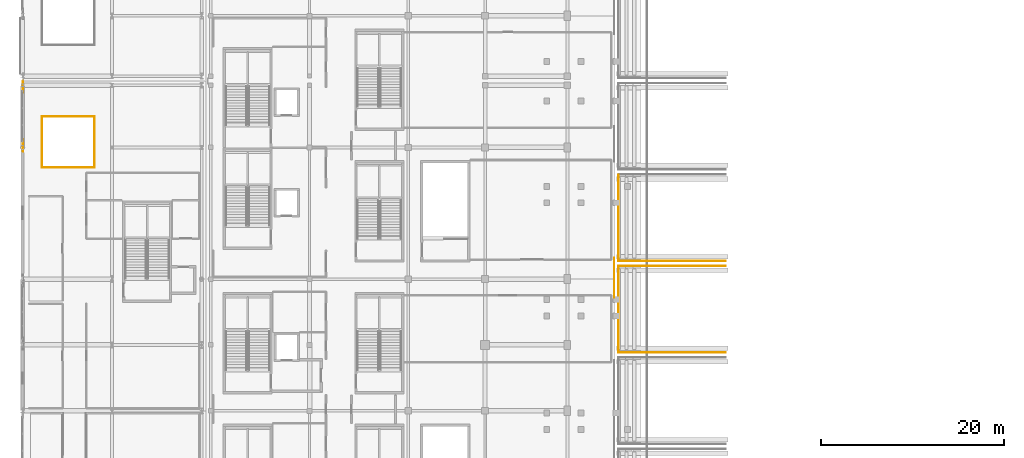
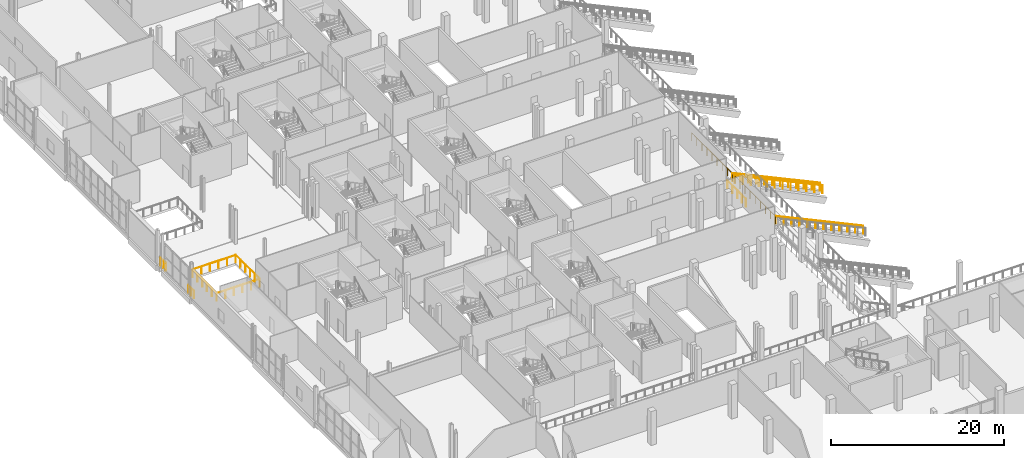
# One storey, part 102 of 129: 13 railings.
"""IFC4 building model written with IfcOpenShell, lengths in metres."""

from ifc_helpers import new_model, si_unit, direction, frame, origin, origin_2d, place, context, subcontext, project, spatial, circle, extrude, material, type_object, element, save


model = new_model("IFC4")

# Units and contexts
model_context = context("Model", 3, precision=1e-05, world=origin(), true_north=direction((0.0, 1.0)))
body_context = subcontext(model_context, "Body", "Model", "MODEL_VIEW")
ifc_project = project(units=[si_unit("LENGTHUNIT", "METRE"), si_unit("AREAUNIT", "SQUARE_METRE"), si_unit("VOLUMEUNIT", "CUBIC_METRE"), si_unit("PLANEANGLEUNIT", "RADIAN"), si_unit("MASSUNIT", "GRAM", prefix="KILO")], contexts=[model_context])

# Site, building, storey
site_placement = place(None, origin())
site = spatial("IfcSite", under=ifc_project, at=site_placement, CompositionType="ELEMENT")
building_placement = place(site_placement, origin())
building = spatial("IfcBuilding", under=site, at=building_placement, Name="Koshinbarg Plaza Stadium", CompositionType="ELEMENT")
storey_placement = place(building_placement, frame((0.0, 0.0, 5.39990234375)))
storey = spatial("IfcBuildingStorey", under=building, at=storey_placement, Name="L01", CompositionType="ELEMENT", Elevation=5.39990234375)

# Railings
ifc_material_1 = material(Name="Toughened laminated glass and stainless steel sightline balustrade", Category="steel")
railing_type_1 = type_object("IfcRailingType", Name="RL-BOWL-1100", PredefinedType="BALUSTRADE", material=ifc_material_1)
railing_1_placement = place(storey_placement, frame((6.1201171875, 66.52001953125, 0.0)))
element("IfcRailing", 1, at=railing_1_placement, inside=storey, type_object=railing_type_1, Name="L01 atrium light-well balustrade 0051", PredefinedType="BALUSTRADE", context=body_context, shape_type="SweptSolid", body=[
    extrude(circle(Radius=0.02392578125, at=origin_2d()), frame((0.0, 0.0, 1.076171875), z_axis=(1.0, 0.0, 0.0), x_axis=(0.0, 1.0, 0.0)), (0.0, 0.0, 1.0), 5.759765625),
    extrude(circle(Radius=0.02099609375, at=origin_2d()), origin(), (0.0, 0.0, 1.0), 1.052001953125),
    extrude(circle(Radius=0.02099609375, at=origin_2d()), frame((1.15185546875, 0.0, 0.0)), (0.0, 0.0, 1.0), 1.052001953125),
    extrude(circle(Radius=0.02099609375, at=origin_2d()), frame((2.303955078125, 0.0, 0.0)), (0.0, 0.0, 1.0), 1.052001953125),
    extrude(circle(Radius=0.02099609375, at=origin_2d()), frame((3.455810546875, 0.0, 0.0)), (0.0, 0.0, 1.0), 1.052001953125),
    extrude(circle(Radius=0.02099609375, at=origin_2d()), frame((4.60791015625, 0.0, 0.0)), (0.0, 0.0, 1.0), 1.052001953125),
    extrude(circle(Radius=0.02099609375, at=origin_2d()), frame((5.759765625, 0.0, 0.0)), (0.0, 0.0, 1.0), 1.052001953125),
])
railing_2_placement = place(storey_placement, frame((11.8798828125, 66.52001953125, 0.0)))
element("IfcRailing", 2, at=railing_2_placement, inside=storey, type_object=railing_type_1, Name="L01 atrium light-well balustrade 0052", PredefinedType="BALUSTRADE", context=body_context, shape_type="SweptSolid", body=[
    extrude(circle(Radius=0.02392578125, at=origin_2d()), frame((0.0, 0.0, 1.076171875), z_axis=(0.0, 1.0, 0.0), x_axis=(-1.0, 0.0, 0.0)), (0.0, 0.0, 1.0), 5.56005859375),
    extrude(circle(Radius=0.02099609375, at=origin_2d()), origin(), (0.0, 0.0, 1.0), 1.052001953125),
    extrude(circle(Radius=0.02099609375, at=origin_2d()), frame((0.0, 1.112060546875, 0.0)), (0.0, 0.0, 1.0), 1.052001953125),
    extrude(circle(Radius=0.02099609375, at=origin_2d()), frame((0.0, 2.22412109375, 0.0)), (0.0, 0.0, 1.0), 1.052001953125),
    extrude(circle(Radius=0.02099609375, at=origin_2d()), frame((0.0, 3.3359375, 0.0)), (0.0, 0.0, 1.0), 1.052001953125),
    extrude(circle(Radius=0.02099609375, at=origin_2d()), frame((0.0, 4.447998046875, 0.0)), (0.0, 0.0, 1.0), 1.052001953125),
    extrude(circle(Radius=0.02099609375, at=origin_2d()), frame((0.0, 5.56005859375, 0.0)), (0.0, 0.0, 1.0), 1.052001953125),
])
railing_3_placement = place(storey_placement, frame((11.8798828125, 72.080078125, 0.0)))
element("IfcRailing", 3, at=railing_3_placement, inside=storey, type_object=railing_type_1, Name="L01 atrium light-well balustrade 0053", PredefinedType="BALUSTRADE", context=body_context, shape_type="SweptSolid", body=[
    extrude(circle(Radius=0.02392578125, at=origin_2d()), frame((0.0, 0.0, 1.076171875), z_axis=(-1.0, 0.0, 0.0), x_axis=(0.0, -1.0, 0.0)), (0.0, 0.0, 1.0), 5.759765625),
    extrude(circle(Radius=0.02099609375, at=origin_2d()), origin(), (0.0, 0.0, 1.0), 1.052001953125),
    extrude(circle(Radius=0.02099609375, at=origin_2d()), frame((-1.15185546875, 0.0, 0.0)), (0.0, 0.0, 1.0), 1.052001953125),
    extrude(circle(Radius=0.02099609375, at=origin_2d()), frame((-2.303955078125, 0.0, 0.0)), (0.0, 0.0, 1.0), 1.052001953125),
    extrude(circle(Radius=0.02099609375, at=origin_2d()), frame((-3.455810546875, 0.0, 0.0)), (0.0, 0.0, 1.0), 1.052001953125),
    extrude(circle(Radius=0.02099609375, at=origin_2d()), frame((-4.60791015625, 0.0, 0.0)), (0.0, 0.0, 1.0), 1.052001953125),
    extrude(circle(Radius=0.02099609375, at=origin_2d()), frame((-5.759765625, 0.0, 0.0)), (0.0, 0.0, 1.0), 1.052001953125),
])
railing_4_placement = place(storey_placement, frame((6.1201171875, 72.080078125, 0.0)))
element("IfcRailing", 4, at=railing_4_placement, inside=storey, type_object=railing_type_1, Name="L01 atrium light-well balustrade 0054", PredefinedType="BALUSTRADE", context=body_context, shape_type="SweptSolid", body=[
    extrude(circle(Radius=0.02392578125, at=origin_2d()), frame((0.0, 0.0, 1.076171875), z_axis=(0.0, -1.0, 0.0), x_axis=(1.0, 0.0, 0.0)), (0.0, 0.0, 1.0), 5.56005859375),
    extrude(circle(Radius=0.02099609375, at=origin_2d()), origin(), (0.0, 0.0, 1.0), 1.052001953125),
    extrude(circle(Radius=0.02099609375, at=origin_2d()), frame((0.0, -1.112060546875, 0.0)), (0.0, 0.0, 1.0), 1.052001953125),
    extrude(circle(Radius=0.02099609375, at=origin_2d()), frame((0.0, -2.22412109375, 0.0)), (0.0, 0.0, 1.0), 1.052001953125),
    extrude(circle(Radius=0.02099609375, at=origin_2d()), frame((0.0, -3.3359375, 0.0)), (0.0, 0.0, 1.0), 1.052001953125),
    extrude(circle(Radius=0.02099609375, at=origin_2d()), frame((0.0, -4.447998046875, 0.0)), (0.0, 0.0, 1.0), 1.052001953125),
    extrude(circle(Radius=0.02099609375, at=origin_2d()), frame((0.0, -5.56005859375, 0.0)), (0.0, 0.0, 1.0), 1.052001953125),
])
railing_5_placement = place(storey_placement, frame((68.719970703125, 54.300048828125, 0.0)))
element("IfcRailing", 5, at=railing_5_placement, inside=storey, type_object=railing_type_1, Name="L01 deck edge safety balustrade 0001", PredefinedType="BALUSTRADE", context=body_context, shape_type="SweptSolid", body=[
    extrude(circle(Radius=0.02392578125, at=origin_2d()), frame((0.0, 0.0, 1.076171875), z_axis=(0.0, -1.0, 0.0), x_axis=(1.0, 0.0, 0.0)), (0.0, 0.0, 1.0), 1.9912109375),
    extrude(circle(Radius=0.02099609375, at=origin_2d()), origin(), (0.0, 0.0, 1.0), 1.052001953125),
    extrude(circle(Radius=0.02099609375, at=origin_2d()), frame((0.0, -0.99560546875, 0.0)), (0.0, 0.0, 1.0), 1.052001953125),
    extrude(circle(Radius=0.02099609375, at=origin_2d()), frame((0.0, -1.9912109375, 0.0)), (0.0, 0.0, 1.0), 1.052001953125),
])
railing_6_placement = place(storey_placement, frame((68.719970703125, 56.60009765625, 0.0)))
element("IfcRailing", 6, at=railing_6_placement, inside=storey, type_object=railing_type_1, Name="L01 deck edge safety balustrade 0006", PredefinedType="BALUSTRADE", context=body_context, shape_type="SweptSolid", body=[
    extrude(circle(Radius=0.02392578125, at=origin_2d()), frame((0.0, 0.0, 1.076171875), z_axis=(0.0, -1.0, 0.0), x_axis=(1.0, 0.0, 0.0)), (0.0, 0.0, 1.0), 2.300048828125),
    extrude(circle(Radius=0.02099609375, at=origin_2d()), origin(), (0.0, 0.0, 1.0), 1.052001953125),
    extrude(circle(Radius=0.02099609375, at=origin_2d()), frame((0.0, -1.14990234375, 0.0)), (0.0, 0.0, 1.0), 1.052001953125),
    extrude(circle(Radius=0.02099609375, at=origin_2d()), frame((0.0, -2.300048828125, 0.0)), (0.0, 0.0, 1.0), 1.052001953125),
])
railing_7_placement = place(storey_placement, frame((4.080078125, 68.274658203125, 0.0)))
element("IfcRailing", 7, at=railing_7_placement, inside=storey, type_object=railing_type_1, Name="L01 deck edge safety balustrade 0111", PredefinedType="BALUSTRADE", context=body_context, shape_type="SweptSolid", body=[
    extrude(circle(Radius=0.02392578125, at=origin_2d()), frame((0.0, 0.0, 1.076171875), z_axis=(0.0, 1.0, 0.0), x_axis=(-1.0, 0.0, 0.0)), (0.0, 0.0, 1.0), 1.297607421875),
    extrude(circle(Radius=0.02099609375, at=origin_2d()), origin(), (0.0, 0.0, 1.0), 1.052001953125),
    extrude(circle(Radius=0.02099609375, at=origin_2d()), frame((0.0, 0.64892578125, 0.0)), (0.0, 0.0, 1.0), 1.052001953125),
    extrude(circle(Radius=0.02099609375, at=origin_2d()), frame((0.0, 1.297607421875, 0.0)), (0.0, 0.0, 1.0), 1.052001953125),
])
railing_8_placement = place(storey_placement, frame((4.080078125, 74.707763671875, 0.0)))
element("IfcRailing", 8, at=railing_8_placement, inside=storey, type_object=railing_type_1, Name="L01 deck edge safety balustrade 0112", PredefinedType="BALUSTRADE", context=body_context, shape_type="SweptSolid", body=[
    extrude(circle(Radius=0.02392578125, at=origin_2d()), frame((0.0, 0.0, 1.076171875), z_axis=(0.0, 1.0, 0.0), x_axis=(-1.0, 0.0, 0.0)), (0.0, 0.0, 1.0), 1.247314453125),
    extrude(circle(Radius=0.02099609375, at=origin_2d()), origin(), (0.0, 0.0, 1.0), 1.052001953125),
    extrude(circle(Radius=0.02099609375, at=origin_2d()), frame((0.0, 0.62353515625, 0.0)), (0.0, 0.0, 1.0), 1.052001953125),
    extrude(circle(Radius=0.02099609375, at=origin_2d()), frame((0.0, 1.247314453125, 0.0)), (0.0, 0.0, 1.0), 1.052001953125),
])
ifc_material_2 = material(Name="Galvanized painted steel guardrail", Category="steel")
railing_type_2 = type_object("IfcRailingType", Name="RL-GUARD-1100", PredefinedType="GUARDRAIL", material=ifc_material_2)
railing_9_placement = place(storey_placement, frame((69.179931640625, 46.280029296875, 1.080078125)))
element("IfcRailing", 9, at=railing_9_placement, inside=storey, type_object=railing_type_2, Name="LT-W03 rear stand guard", PredefinedType="GUARDRAIL", context=body_context, shape_type="SweptSolid", body=[
    extrude(circle(Radius=0.02392578125, at=origin_2d()), frame((0.0, 0.0, 1.076171875), z_axis=(0.0, 1.0, 0.0), x_axis=(-1.0, 0.0, 0.0)), (0.0, 0.0, 1.0), 9.43994140625),
    extrude(circle(Radius=0.02099609375, at=origin_2d()), origin(), (0.0, 0.0, 1.0), 1.052001953125),
    extrude(circle(Radius=0.02099609375, at=origin_2d()), frame((0.0, 1.179931640625, 0.0)), (0.0, 0.0, 1.0), 1.052001953125),
    extrude(circle(Radius=0.02099609375, at=origin_2d()), frame((0.0, 2.35986328125, 0.0)), (0.0, 0.0, 1.0), 1.052001953125),
    extrude(circle(Radius=0.02099609375, at=origin_2d()), frame((0.0, 3.5400390625, 0.0)), (0.0, 0.0, 1.0), 1.052001953125),
    extrude(circle(Radius=0.02099609375, at=origin_2d()), frame((0.0, 4.719970703125, 0.0)), (0.0, 0.0, 1.0), 1.052001953125),
    extrude(circle(Radius=0.02099609375, at=origin_2d()), frame((0.0, 5.89990234375, 0.0)), (0.0, 0.0, 1.0), 1.052001953125),
    extrude(circle(Radius=0.02099609375, at=origin_2d()), frame((0.0, 7.080078125, 0.0)), (0.0, 0.0, 1.0), 1.052001953125),
    extrude(circle(Radius=0.02099609375, at=origin_2d()), frame((0.0, 8.260009765625, 0.0)), (0.0, 0.0, 1.0), 1.052001953125),
    extrude(circle(Radius=0.02099609375, at=origin_2d()), frame((0.0, 9.43994140625, 0.0)), (0.0, 0.0, 1.0), 1.052001953125),
])
railing_10_placement = place(storey_placement, frame((80.89990234375, 46.280029296875, -4.3798828125)))
element("IfcRailing", 10, at=railing_10_placement, inside=storey, type_object=railing_type_2, Name="LT-W03 stepped aisle guard L", PredefinedType="GUARDRAIL", context=body_context, shape_type="SweptSolid", body=[
    extrude(circle(Radius=0.02392578125, at=origin_2d()), frame((0.0, 0.0, 1.076171875), z_axis=(-0.906183623075, 0.0, 0.422884430158), x_axis=(0.0, -1.0, 0.0)), (0.0, 0.0, 1.0), 12.9111328125),
    extrude(circle(Radius=0.02099609375, at=origin_2d()), origin(), (0.0, 0.0, 1.0), 1.052001953125),
    extrude(circle(Radius=0.02099609375, at=origin_2d()), frame((-1.063720703125, 0.0, 0.496337890625)), (0.0, 0.0, 1.0), 1.052001953125),
    extrude(circle(Radius=0.02099609375, at=origin_2d()), frame((-2.127197265625, 0.0, 0.99267578125)), (0.0, 0.0, 1.0), 1.052001953125),
    extrude(circle(Radius=0.02099609375, at=origin_2d()), frame((-3.19091796875, 0.0, 1.489013671875)), (0.0, 0.0, 1.0), 1.052001953125),
    extrude(circle(Radius=0.02099609375, at=origin_2d()), frame((-4.254638671875, 0.0, 1.9853515625)), (0.0, 0.0, 1.0), 1.052001953125),
    extrude(circle(Radius=0.02099609375, at=origin_2d()), frame((-5.318115234375, 0.0, 2.481689453125)), (0.0, 0.0, 1.0), 1.052001953125),
    extrude(circle(Radius=0.02099609375, at=origin_2d()), frame((-6.3818359375, 0.0, 2.978271484375)), (0.0, 0.0, 1.0), 1.052001953125),
    extrude(circle(Radius=0.02099609375, at=origin_2d()), frame((-7.4453125, 0.0, 3.474609375)), (0.0, 0.0, 1.0), 1.052001953125),
    extrude(circle(Radius=0.02099609375, at=origin_2d()), frame((-8.509033203125, 0.0, 3.970947265625)), (0.0, 0.0, 1.0), 1.052001953125),
    extrude(circle(Radius=0.02099609375, at=origin_2d()), frame((-9.57275390625, 0.0, 4.46728515625)), (0.0, 0.0, 1.0), 1.052001953125),
    extrude(circle(Radius=0.02099609375, at=origin_2d()), frame((-10.63623046875, 0.0, 4.963623046875)), (0.0, 0.0, 1.0), 1.052001953125),
    extrude(circle(Radius=0.02099609375, at=origin_2d()), frame((-11.699951171875, 0.0, 5.4599609375)), (0.0, 0.0, 1.0), 1.052001953125),
])
railing_11_placement = place(storey_placement, frame((80.89990234375, 55.719970703125, -4.3798828125)))
element("IfcRailing", 11, at=railing_11_placement, inside=storey, type_object=railing_type_2, Name="LT-W03 stepped aisle guard R", PredefinedType="GUARDRAIL", context=body_context, shape_type="SweptSolid", body=[
    extrude(circle(Radius=0.02392578125, at=origin_2d()), frame((0.0, 0.0, 1.076171875), z_axis=(-0.906183623075, 0.0, 0.422884430158), x_axis=(0.0, -1.0, 0.0)), (0.0, 0.0, 1.0), 12.9111328125),
    extrude(circle(Radius=0.02099609375, at=origin_2d()), origin(), (0.0, 0.0, 1.0), 1.052001953125),
    extrude(circle(Radius=0.02099609375, at=origin_2d()), frame((-1.063720703125, 0.0, 0.496337890625)), (0.0, 0.0, 1.0), 1.052001953125),
    extrude(circle(Radius=0.02099609375, at=origin_2d()), frame((-2.127197265625, 0.0, 0.99267578125)), (0.0, 0.0, 1.0), 1.052001953125),
    extrude(circle(Radius=0.02099609375, at=origin_2d()), frame((-3.19091796875, 0.0, 1.489013671875)), (0.0, 0.0, 1.0), 1.052001953125),
    extrude(circle(Radius=0.02099609375, at=origin_2d()), frame((-4.254638671875, 0.0, 1.9853515625)), (0.0, 0.0, 1.0), 1.052001953125),
    extrude(circle(Radius=0.02099609375, at=origin_2d()), frame((-5.318115234375, 0.0, 2.481689453125)), (0.0, 0.0, 1.0), 1.052001953125),
    extrude(circle(Radius=0.02099609375, at=origin_2d()), frame((-6.3818359375, 0.0, 2.978271484375)), (0.0, 0.0, 1.0), 1.052001953125),
    extrude(circle(Radius=0.02099609375, at=origin_2d()), frame((-7.4453125, 0.0, 3.474609375)), (0.0, 0.0, 1.0), 1.052001953125),
    extrude(circle(Radius=0.02099609375, at=origin_2d()), frame((-8.509033203125, 0.0, 3.970947265625)), (0.0, 0.0, 1.0), 1.052001953125),
    extrude(circle(Radius=0.02099609375, at=origin_2d()), frame((-9.57275390625, 0.0, 4.46728515625)), (0.0, 0.0, 1.0), 1.052001953125),
    extrude(circle(Radius=0.02099609375, at=origin_2d()), frame((-10.63623046875, 0.0, 4.963623046875)), (0.0, 0.0, 1.0), 1.052001953125),
    extrude(circle(Radius=0.02099609375, at=origin_2d()), frame((-11.699951171875, 0.0, 5.4599609375)), (0.0, 0.0, 1.0), 1.052001953125),
])
railing_12_placement = place(storey_placement, frame((69.179931640625, 56.280029296875, 1.080078125)))
element("IfcRailing", 12, at=railing_12_placement, inside=storey, type_object=railing_type_2, Name="LT-W04 rear stand guard", PredefinedType="GUARDRAIL", context=body_context, shape_type="SweptSolid", body=[
    extrude(circle(Radius=0.02392578125, at=origin_2d()), frame((0.0, 0.0, 1.076171875), z_axis=(0.0, 1.0, 0.0), x_axis=(-1.0, 0.0, 0.0)), (0.0, 0.0, 1.0), 9.43994140625),
    extrude(circle(Radius=0.02099609375, at=origin_2d()), origin(), (0.0, 0.0, 1.0), 1.052001953125),
    extrude(circle(Radius=0.02099609375, at=origin_2d()), frame((0.0, 1.179931640625, 0.0)), (0.0, 0.0, 1.0), 1.052001953125),
    extrude(circle(Radius=0.02099609375, at=origin_2d()), frame((0.0, 2.35986328125, 0.0)), (0.0, 0.0, 1.0), 1.052001953125),
    extrude(circle(Radius=0.02099609375, at=origin_2d()), frame((0.0, 3.5400390625, 0.0)), (0.0, 0.0, 1.0), 1.052001953125),
    extrude(circle(Radius=0.02099609375, at=origin_2d()), frame((0.0, 4.719970703125, 0.0)), (0.0, 0.0, 1.0), 1.052001953125),
    extrude(circle(Radius=0.02099609375, at=origin_2d()), frame((0.0, 5.89990234375, 0.0)), (0.0, 0.0, 1.0), 1.052001953125),
    extrude(circle(Radius=0.02099609375, at=origin_2d()), frame((0.0, 7.080078125, 0.0)), (0.0, 0.0, 1.0), 1.052001953125),
    extrude(circle(Radius=0.02099609375, at=origin_2d()), frame((0.0, 8.260009765625, 0.0)), (0.0, 0.0, 1.0), 1.052001953125),
    extrude(circle(Radius=0.02099609375, at=origin_2d()), frame((0.0, 9.43994140625, 0.0)), (0.0, 0.0, 1.0), 1.052001953125),
])
railing_13_placement = place(storey_placement, frame((80.89990234375, 56.280029296875, -4.3798828125)))
element("IfcRailing", 13, at=railing_13_placement, inside=storey, type_object=railing_type_2, Name="LT-W04 stepped aisle guard L", PredefinedType="GUARDRAIL", context=body_context, shape_type="SweptSolid", body=[
    extrude(circle(Radius=0.02392578125, at=origin_2d()), frame((0.0, 0.0, 1.076171875), z_axis=(-0.906183623075, 0.0, 0.422884430158), x_axis=(0.0, -1.0, 0.0)), (0.0, 0.0, 1.0), 12.9111328125),
    extrude(circle(Radius=0.02099609375, at=origin_2d()), origin(), (0.0, 0.0, 1.0), 1.052001953125),
    extrude(circle(Radius=0.02099609375, at=origin_2d()), frame((-1.063720703125, 0.0, 0.496337890625)), (0.0, 0.0, 1.0), 1.052001953125),
    extrude(circle(Radius=0.02099609375, at=origin_2d()), frame((-2.127197265625, 0.0, 0.99267578125)), (0.0, 0.0, 1.0), 1.052001953125),
    extrude(circle(Radius=0.02099609375, at=origin_2d()), frame((-3.19091796875, 0.0, 1.489013671875)), (0.0, 0.0, 1.0), 1.052001953125),
    extrude(circle(Radius=0.02099609375, at=origin_2d()), frame((-4.254638671875, 0.0, 1.9853515625)), (0.0, 0.0, 1.0), 1.052001953125),
    extrude(circle(Radius=0.02099609375, at=origin_2d()), frame((-5.318115234375, 0.0, 2.481689453125)), (0.0, 0.0, 1.0), 1.052001953125),
    extrude(circle(Radius=0.02099609375, at=origin_2d()), frame((-6.3818359375, 0.0, 2.978271484375)), (0.0, 0.0, 1.0), 1.052001953125),
    extrude(circle(Radius=0.02099609375, at=origin_2d()), frame((-7.4453125, 0.0, 3.474609375)), (0.0, 0.0, 1.0), 1.052001953125),
    extrude(circle(Radius=0.02099609375, at=origin_2d()), frame((-8.509033203125, 0.0, 3.970947265625)), (0.0, 0.0, 1.0), 1.052001953125),
    extrude(circle(Radius=0.02099609375, at=origin_2d()), frame((-9.57275390625, 0.0, 4.46728515625)), (0.0, 0.0, 1.0), 1.052001953125),
    extrude(circle(Radius=0.02099609375, at=origin_2d()), frame((-10.63623046875, 0.0, 4.963623046875)), (0.0, 0.0, 1.0), 1.052001953125),
    extrude(circle(Radius=0.02099609375, at=origin_2d()), frame((-11.699951171875, 0.0, 5.4599609375)), (0.0, 0.0, 1.0), 1.052001953125),
])

save(model, "model.ifc")
